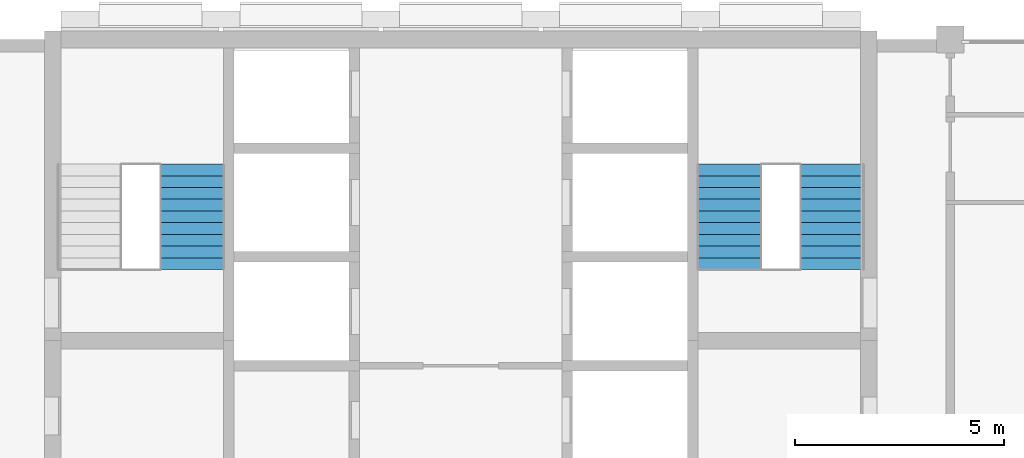
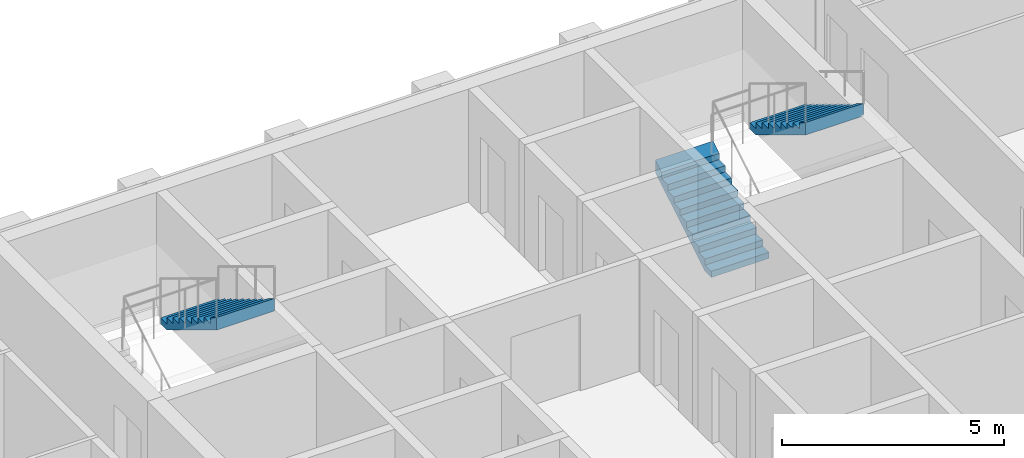
# One storey, part 14 of 17: 3 stair flights, 2 elements without a shape of their own.
"""IFC4 building model written with IfcOpenShell, lengths in metres."""

from ifc_helpers import new_model, si_unit, direction, frame, origin, place, context, subcontext, project, spatial, triangles, material, type_object, element, aggregate, save


model = new_model("IFC4")

# Units and contexts
model_context = context("Model", 3, precision=1e-05, world=origin(), true_north=direction((0.0, 1.0)))
body_context = subcontext(model_context, "Body", "Model", "MODEL_VIEW")
ifc_project = project(units=[si_unit("LENGTHUNIT", "METRE"), si_unit("AREAUNIT", "SQUARE_METRE"), si_unit("VOLUMEUNIT", "CUBIC_METRE"), si_unit("PLANEANGLEUNIT", "RADIAN"), si_unit("MASSUNIT", "GRAM", prefix="KILO")], contexts=[model_context])

# Site, building, storey
site_placement = place(None, origin())
site = spatial("IfcSite", under=ifc_project, at=site_placement, CompositionType="ELEMENT")
building_placement = place(site_placement, origin())
building = spatial("IfcBuilding", under=site, at=building_placement, Name="Ludao Terraces", CompositionType="ELEMENT")
storey_placement = place(building_placement, frame((0.0, 0.0, 263.0)))
storey = spatial("IfcBuildingStorey", under=building, at=storey_placement, Name="L72", CompositionType="ELEMENT", Elevation=263.0)

# Stair, stair flight
ifc_material = material(Name="Concrete C40", Category="concrete")
stair_type = type_object("IfcStairType", Name="INT Stair", PredefinedType="HALF_TURN_STAIR", material=ifc_material)
stair_1_placement = place(storey_placement, origin())
stair_1 = element("IfcStair", 1, at=stair_1_placement, inside=storey, type_object=stair_type, Name="EXIT STAIR 1", PredefinedType="HALF_TURN_STAIR")
stair_flight_type = type_object("IfcStairFlightType", Name="INT Stair flight", PredefinedType="STRAIGHT", material=ifc_material)
stair_flight_1_placement = place(storey_placement, frame((78.574951171875, 81.52001953125, 1.699951171875), z_axis=(0.0, 0.0, 1.0), x_axis=(0.0, -1.0, 0.0)))
stair_flight_1 = element("IfcStairFlight", 2, at=stair_flight_1_placement, type_object=stair_flight_type, Name="ST1 flight 2", NumberOfRisers=10, NumberOfTreads=9, PredefinedType="STRAIGHT", RiserHeight=0.17, TreadLength=0.28, context=body_context, shape_type="Tessellation", body=[
    triangles([(0.0, -0.75, 0.0), (0.0, -0.5, 0.0), (0.0, -0.25, 0.0), (0.0, 0.0, 0.0), (0.0, 0.25, 0.0), (0.0, 0.5, 0.0), (0.0, 0.75, 0.0), (0.0, -0.75, 0.169921875), (0.0, -0.5, 0.169921875), (0.0, -0.25, 0.169921875), (0.0, 0.0, 0.169921875), (0.0, 0.25, 0.169921875), (0.0, 0.5, 0.169921875), (0.0, 0.75, 0.169921875), (0.280029296875, -0.75, 0.169921875), (0.280029296875, -0.5, 0.169921875), (0.280029296875, -0.25, 0.169921875), (0.280029296875, 0.0, 0.169921875), (0.280029296875, 0.25, 0.169921875), (0.280029296875, 0.5, 0.169921875), (0.280029296875, 0.75, 0.169921875), (0.280029296875, -0.75, 0.340087890625), (0.280029296875, -0.5, 0.340087890625), (0.280029296875, -0.25, 0.340087890625), (0.280029296875, 0.0, 0.340087890625), (0.280029296875, 0.25, 0.340087890625), (0.280029296875, 0.5, 0.340087890625), (0.280029296875, 0.75, 0.340087890625), (0.56005859375, -0.75, 0.340087890625), (0.56005859375, -0.5, 0.340087890625), (0.56005859375, -0.25, 0.340087890625), (0.56005859375, 0.0, 0.340087890625), (0.56005859375, 0.25, 0.340087890625), (0.56005859375, 0.5, 0.340087890625), (0.56005859375, 0.75, 0.340087890625), (0.56005859375, -0.75, 0.510009765625), (0.56005859375, -0.5, 0.510009765625), (0.56005859375, -0.25, 0.510009765625), (0.56005859375, 0.0, 0.510009765625), (0.56005859375, 0.25, 0.510009765625), (0.56005859375, 0.5, 0.510009765625), (0.56005859375, 0.75, 0.510009765625), (0.840087890625, -0.75, 0.510009765625), (0.840087890625, -0.5, 0.510009765625), (0.840087890625, -0.25, 0.510009765625), (0.840087890625, 0.0, 0.510009765625), (0.840087890625, 0.25, 0.510009765625), (0.840087890625, 0.5, 0.510009765625), (0.840087890625, 0.75, 0.510009765625), (0.840087890625, -0.75, 0.679931640625), (0.840087890625, -0.5, 0.679931640625), (0.840087890625, -0.25, 0.679931640625), (0.840087890625, 0.0, 0.679931640625), (0.840087890625, 0.25, 0.679931640625), (0.840087890625, 0.5, 0.679931640625), (0.840087890625, 0.75, 0.679931640625), (1.1201171875, -0.75, 0.679931640625), (1.1201171875, -0.5, 0.679931640625), (1.1201171875, -0.25, 0.679931640625), (1.1201171875, 0.0, 0.679931640625), (1.1201171875, 0.25, 0.679931640625), (1.1201171875, 0.5, 0.679931640625), (1.1201171875, 0.75, 0.679931640625), (1.1201171875, -0.75, 0.85009765625), (1.1201171875, -0.5, 0.85009765625), (1.1201171875, -0.25, 0.85009765625), (1.1201171875, 0.0, 0.85009765625), (1.1201171875, 0.25, 0.85009765625), (1.1201171875, 0.5, 0.85009765625), (1.1201171875, 0.75, 0.85009765625), (1.39990234375, -0.75, 0.85009765625), (1.39990234375, -0.5, 0.85009765625), (1.39990234375, -0.25, 0.85009765625), (1.39990234375, 0.0, 0.85009765625), (1.39990234375, 0.25, 0.85009765625), (1.39990234375, 0.5, 0.85009765625), (1.39990234375, 0.75, 0.85009765625), (1.39990234375, -0.75, 1.02001953125), (1.39990234375, -0.5, 1.02001953125), (1.39990234375, -0.25, 1.02001953125), (1.39990234375, 0.0, 1.02001953125), (1.39990234375, 0.25, 1.02001953125), (1.39990234375, 0.5, 1.02001953125), (1.39990234375, 0.75, 1.02001953125), (1.679931640625, -0.75, 1.02001953125), (1.679931640625, -0.5, 1.02001953125), (1.679931640625, -0.25, 1.02001953125), (1.679931640625, 0.0, 1.02001953125), (1.679931640625, 0.25, 1.02001953125), (1.679931640625, 0.5, 1.02001953125), (1.679931640625, 0.75, 1.02001953125), (1.679931640625, -0.75, 1.18994140625), (1.679931640625, -0.5, 1.18994140625), (1.679931640625, -0.25, 1.18994140625), (1.679931640625, 0.0, 1.18994140625), (1.679931640625, 0.25, 1.18994140625), (1.679931640625, 0.5, 1.18994140625), (1.679931640625, 0.75, 1.18994140625), (1.9599609375, -0.75, 1.18994140625), (1.9599609375, -0.5, 1.18994140625), (1.9599609375, -0.25, 1.18994140625), (1.9599609375, 0.0, 1.18994140625), (1.9599609375, 0.25, 1.18994140625), (1.9599609375, 0.5, 1.18994140625), (1.9599609375, 0.75, 1.18994140625), (1.9599609375, -0.75, 1.360107421875), (1.9599609375, -0.5, 1.360107421875), (1.9599609375, -0.25, 1.360107421875), (1.9599609375, 0.0, 1.360107421875), (1.9599609375, 0.25, 1.360107421875), (1.9599609375, 0.5, 1.360107421875), (1.9599609375, 0.75, 1.360107421875), (2.239990234375, -0.75, 1.360107421875), (2.239990234375, -0.5, 1.360107421875), (2.239990234375, -0.25, 1.360107421875), (2.239990234375, 0.0, 1.360107421875), (2.239990234375, 0.25, 1.360107421875), (2.239990234375, 0.5, 1.360107421875), (2.239990234375, 0.75, 1.360107421875), (2.239990234375, -0.75, 1.530029296875), (2.239990234375, -0.5, 1.530029296875), (2.239990234375, -0.25, 1.530029296875), (2.239990234375, 0.0, 1.530029296875), (2.239990234375, 0.25, 1.530029296875), (2.239990234375, 0.5, 1.530029296875), (2.239990234375, 0.75, 1.530029296875), (2.52001953125, -0.75, 1.699951171875), (2.52001953125, -0.5, 1.699951171875), (2.52001953125, -0.25, 1.699951171875), (2.52001953125, 0.0, 1.699951171875), (2.52001953125, 0.25, 1.699951171875), (2.52001953125, 0.5, 1.699951171875), (2.52001953125, 0.75, 1.699951171875), (2.52001953125, -0.75, 1.354736328125), (2.52001953125, -0.5, 1.354736328125), (2.52001953125, -0.25, 1.354736328125), (2.52001953125, 0.0, 1.354736328125), (2.52001953125, 0.25, 1.354736328125), (2.52001953125, 0.5, 1.354736328125), (2.52001953125, 0.75, 1.354736328125), (0.288818359375, -0.75, 0.0), (0.288818359375, -0.5, 0.0), (0.288818359375, -0.25, 0.0), (0.288818359375, 0.0, 0.0), (0.288818359375, 0.25, 0.0), (0.288818359375, 0.5, 0.0), (0.288818359375, 0.75, 0.0)], [[1, 141, 134], [7, 140, 147], [134, 127, 120], [140, 126, 133], [134, 120, 113], [140, 119, 126], [134, 113, 106], [140, 112, 119], [134, 106, 99], [140, 105, 112], [99, 92, 85], [105, 91, 98], [134, 99, 85], [140, 91, 105], [85, 78, 71], [91, 77, 84], [134, 85, 71], [140, 77, 91], [71, 64, 57], [77, 63, 70], [134, 71, 57], [140, 63, 77], [57, 50, 43], [63, 49, 56], [134, 57, 43], [140, 49, 63], [43, 36, 29], [49, 35, 42], [134, 43, 29], [140, 35, 49], [29, 22, 15], [35, 21, 28], [134, 29, 15], [140, 21, 35], [1, 134, 15], [7, 21, 140], [15, 8, 1], [21, 7, 14], [1, 9, 2], [1, 8, 9], [2, 10, 3], [2, 9, 10], [3, 11, 4], [3, 10, 11], [4, 12, 5], [4, 11, 12], [5, 13, 6], [5, 12, 13], [6, 14, 7], [6, 13, 14], [8, 16, 9], [8, 15, 16], [9, 17, 10], [9, 16, 17], [10, 18, 11], [10, 17, 18], [11, 19, 12], [11, 18, 19], [12, 20, 13], [12, 19, 20], [13, 21, 14], [13, 20, 21], [15, 23, 16], [15, 22, 23], [16, 24, 17], [16, 23, 24], [17, 25, 18], [17, 24, 25], [18, 26, 19], [18, 25, 26], [19, 27, 20], [19, 26, 27], [20, 28, 21], [20, 27, 28], [22, 30, 23], [22, 29, 30], [23, 31, 24], [23, 30, 31], [24, 32, 25], [24, 31, 32], [25, 33, 26], [25, 32, 33], [26, 34, 27], [26, 33, 34], [27, 35, 28], [27, 34, 35], [29, 37, 30], [29, 36, 37], [30, 38, 31], [30, 37, 38], [31, 39, 32], [31, 38, 39], [32, 40, 33], [32, 39, 40], [33, 41, 34], [33, 40, 41], [34, 42, 35], [34, 41, 42], [36, 44, 37], [36, 43, 44], [37, 45, 38], [37, 44, 45], [38, 46, 39], [38, 45, 46], [39, 47, 40], [39, 46, 47], [40, 48, 41], [40, 47, 48], [41, 49, 42], [41, 48, 49], [43, 51, 44], [43, 50, 51], [44, 52, 45], [44, 51, 52], [45, 53, 46], [45, 52, 53], [46, 54, 47], [46, 53, 54], [47, 55, 48], [47, 54, 55], [48, 56, 49], [48, 55, 56], [50, 58, 51], [50, 57, 58], [51, 59, 52], [51, 58, 59], [52, 60, 53], [52, 59, 60], [53, 61, 54], [53, 60, 61], [54, 62, 55], [54, 61, 62], [55, 63, 56], [55, 62, 63], [57, 65, 58], [57, 64, 65], [58, 66, 59], [58, 65, 66], [59, 67, 60], [59, 66, 67], [60, 68, 61], [60, 67, 68], [61, 69, 62], [61, 68, 69], [62, 70, 63], [62, 69, 70], [64, 72, 65], [64, 71, 72], [65, 73, 66], [65, 72, 73], [66, 74, 67], [66, 73, 74], [67, 75, 68], [67, 74, 75], [68, 76, 69], [68, 75, 76], [69, 77, 70], [69, 76, 77], [71, 79, 72], [71, 78, 79], [72, 80, 73], [72, 79, 80], [73, 81, 74], [73, 80, 81], [74, 82, 75], [74, 81, 82], [75, 83, 76], [75, 82, 83], [76, 84, 77], [76, 83, 84], [78, 86, 79], [78, 85, 86], [79, 87, 80], [79, 86, 87], [80, 88, 81], [80, 87, 88], [81, 89, 82], [81, 88, 89], [82, 90, 83], [82, 89, 90], [83, 91, 84], [83, 90, 91], [85, 93, 86], [85, 92, 93], [86, 94, 87], [86, 93, 94], [87, 95, 88], [87, 94, 95], [88, 96, 89], [88, 95, 96], [89, 97, 90], [89, 96, 97], [90, 98, 91], [90, 97, 98], [92, 100, 93], [92, 99, 100], [93, 101, 94], [93, 100, 101], [94, 102, 95], [94, 101, 102], [95, 103, 96], [95, 102, 103], [96, 104, 97], [96, 103, 104], [97, 105, 98], [97, 104, 105], [99, 107, 100], [99, 106, 107], [100, 108, 101], [100, 107, 108], [101, 109, 102], [101, 108, 109], [102, 110, 103], [102, 109, 110], [103, 111, 104], [103, 110, 111], [104, 112, 105], [104, 111, 112], [106, 114, 107], [106, 113, 114], [107, 115, 108], [107, 114, 115], [108, 116, 109], [108, 115, 116], [109, 117, 110], [109, 116, 117], [110, 118, 111], [110, 117, 118], [111, 119, 112], [111, 118, 119], [113, 121, 114], [113, 120, 121], [114, 122, 115], [114, 121, 122], [115, 123, 116], [115, 122, 123], [116, 124, 117], [116, 123, 124], [117, 125, 118], [117, 124, 125], [118, 126, 119], [118, 125, 126], [120, 128, 121], [120, 127, 128], [121, 129, 122], [121, 128, 129], [122, 130, 123], [122, 129, 130], [123, 131, 124], [123, 130, 131], [124, 132, 125], [124, 131, 132], [125, 133, 126], [125, 132, 133], [127, 135, 128], [127, 134, 135], [128, 136, 129], [128, 135, 136], [129, 137, 130], [129, 136, 137], [130, 138, 131], [130, 137, 138], [131, 139, 132], [131, 138, 139], [132, 140, 133], [132, 139, 140], [134, 142, 135], [134, 141, 142], [135, 143, 136], [135, 142, 143], [136, 144, 137], [136, 143, 144], [137, 145, 138], [137, 144, 145], [138, 146, 139], [138, 145, 146], [139, 147, 140], [139, 146, 147], [141, 2, 142], [141, 1, 2], [142, 3, 143], [142, 2, 3], [143, 4, 144], [143, 3, 4], [144, 5, 145], [144, 4, 5], [145, 6, 146], [145, 5, 6], [146, 7, 147], [146, 6, 7]], closed=True),
])
aggregate(stair_1, [stair_flight_1])

# Stair, stair flights
stair_2_placement = place(storey_placement, origin())
stair_2 = element("IfcStair", 3, at=stair_2_placement, inside=storey, type_object=stair_type, Name="EXIT STAIR 2", PredefinedType="HALF_TURN_STAIR")
stair_flight_2_placement = place(storey_placement, frame((91.425048828125, 79.0, 0.0), z_axis=(0.0, 0.0, 1.0), x_axis=(0.0, 1.0, 0.0)))
stair_flight_2 = element("IfcStairFlight", 4, at=stair_flight_2_placement, type_object=stair_flight_type, Name="ST2 flight 1", NumberOfRisers=10, NumberOfTreads=9, PredefinedType="STRAIGHT", RiserHeight=0.17, TreadLength=0.28, context=body_context, shape_type="Tessellation", body=[
    triangles([(0.0, -0.75, 0.0), (0.0, -0.5, 0.0), (0.0, -0.25, 0.0), (0.0, 0.0, 0.0), (0.0, 0.25, 0.0), (0.0, 0.5, 0.0), (0.0, 0.75, 0.0), (0.0, -0.75, 0.169921875), (0.0, -0.5, 0.169921875), (0.0, -0.25, 0.169921875), (0.0, 0.0, 0.169921875), (0.0, 0.25, 0.169921875), (0.0, 0.5, 0.169921875), (0.0, 0.75, 0.169921875), (0.280029296875, -0.75, 0.169921875), (0.280029296875, -0.5, 0.169921875), (0.280029296875, -0.25, 0.169921875), (0.280029296875, 0.0, 0.169921875), (0.280029296875, 0.25, 0.169921875), (0.280029296875, 0.5, 0.169921875), (0.280029296875, 0.75, 0.169921875), (0.280029296875, -0.75, 0.340087890625), (0.280029296875, -0.5, 0.340087890625), (0.280029296875, -0.25, 0.340087890625), (0.280029296875, 0.0, 0.340087890625), (0.280029296875, 0.25, 0.340087890625), (0.280029296875, 0.5, 0.340087890625), (0.280029296875, 0.75, 0.340087890625), (0.56005859375, -0.75, 0.340087890625), (0.56005859375, -0.5, 0.340087890625), (0.56005859375, -0.25, 0.340087890625), (0.56005859375, 0.0, 0.340087890625), (0.56005859375, 0.25, 0.340087890625), (0.56005859375, 0.5, 0.340087890625), (0.56005859375, 0.75, 0.340087890625), (0.56005859375, -0.75, 0.510009765625), (0.56005859375, -0.5, 0.510009765625), (0.56005859375, -0.25, 0.510009765625), (0.56005859375, 0.0, 0.510009765625), (0.56005859375, 0.25, 0.510009765625), (0.56005859375, 0.5, 0.510009765625), (0.56005859375, 0.75, 0.510009765625), (0.840087890625, -0.75, 0.510009765625), (0.840087890625, -0.5, 0.510009765625), (0.840087890625, -0.25, 0.510009765625), (0.840087890625, 0.0, 0.510009765625), (0.840087890625, 0.25, 0.510009765625), (0.840087890625, 0.5, 0.510009765625), (0.840087890625, 0.75, 0.510009765625), (0.840087890625, -0.75, 0.679931640625), (0.840087890625, -0.5, 0.679931640625), (0.840087890625, -0.25, 0.679931640625), (0.840087890625, 0.0, 0.679931640625), (0.840087890625, 0.25, 0.679931640625), (0.840087890625, 0.5, 0.679931640625), (0.840087890625, 0.75, 0.679931640625), (1.1201171875, -0.75, 0.679931640625), (1.1201171875, -0.5, 0.679931640625), (1.1201171875, -0.25, 0.679931640625), (1.1201171875, 0.0, 0.679931640625), (1.1201171875, 0.25, 0.679931640625), (1.1201171875, 0.5, 0.679931640625), (1.1201171875, 0.75, 0.679931640625), (1.1201171875, -0.75, 0.85009765625), (1.1201171875, -0.5, 0.85009765625), (1.1201171875, -0.25, 0.85009765625), (1.1201171875, 0.0, 0.85009765625), (1.1201171875, 0.25, 0.85009765625), (1.1201171875, 0.5, 0.85009765625), (1.1201171875, 0.75, 0.85009765625), (1.39990234375, -0.75, 0.85009765625), (1.39990234375, -0.5, 0.85009765625), (1.39990234375, -0.25, 0.85009765625), (1.39990234375, 0.0, 0.85009765625), (1.39990234375, 0.25, 0.85009765625), (1.39990234375, 0.5, 0.85009765625), (1.39990234375, 0.75, 0.85009765625), (1.39990234375, -0.75, 1.02001953125), (1.39990234375, -0.5, 1.02001953125), (1.39990234375, -0.25, 1.02001953125), (1.39990234375, 0.0, 1.02001953125), (1.39990234375, 0.25, 1.02001953125), (1.39990234375, 0.5, 1.02001953125), (1.39990234375, 0.75, 1.02001953125), (1.679931640625, -0.75, 1.02001953125), (1.679931640625, -0.5, 1.02001953125), (1.679931640625, -0.25, 1.02001953125), (1.679931640625, 0.0, 1.02001953125), (1.679931640625, 0.25, 1.02001953125), (1.679931640625, 0.5, 1.02001953125), (1.679931640625, 0.75, 1.02001953125), (1.679931640625, -0.75, 1.18994140625), (1.679931640625, -0.5, 1.18994140625), (1.679931640625, -0.25, 1.18994140625), (1.679931640625, 0.0, 1.18994140625), (1.679931640625, 0.25, 1.18994140625), (1.679931640625, 0.5, 1.18994140625), (1.679931640625, 0.75, 1.18994140625), (1.9599609375, -0.75, 1.18994140625), (1.9599609375, -0.5, 1.18994140625), (1.9599609375, -0.25, 1.18994140625), (1.9599609375, 0.0, 1.18994140625), (1.9599609375, 0.25, 1.18994140625), (1.9599609375, 0.5, 1.18994140625), (1.9599609375, 0.75, 1.18994140625), (1.9599609375, -0.75, 1.360107421875), (1.9599609375, -0.5, 1.360107421875), (1.9599609375, -0.25, 1.360107421875), (1.9599609375, 0.0, 1.360107421875), (1.9599609375, 0.25, 1.360107421875), (1.9599609375, 0.5, 1.360107421875), (1.9599609375, 0.75, 1.360107421875), (2.239990234375, -0.75, 1.360107421875), (2.239990234375, -0.5, 1.360107421875), (2.239990234375, -0.25, 1.360107421875), (2.239990234375, 0.0, 1.360107421875), (2.239990234375, 0.25, 1.360107421875), (2.239990234375, 0.5, 1.360107421875), (2.239990234375, 0.75, 1.360107421875), (2.239990234375, -0.75, 1.530029296875), (2.239990234375, -0.5, 1.530029296875), (2.239990234375, -0.25, 1.530029296875), (2.239990234375, 0.0, 1.530029296875), (2.239990234375, 0.25, 1.530029296875), (2.239990234375, 0.5, 1.530029296875), (2.239990234375, 0.75, 1.530029296875), (2.52001953125, -0.75, 1.699951171875), (2.52001953125, -0.5, 1.699951171875), (2.52001953125, -0.25, 1.699951171875), (2.52001953125, 0.0, 1.699951171875), (2.52001953125, 0.25, 1.699951171875), (2.52001953125, 0.5, 1.699951171875), (2.52001953125, 0.75, 1.699951171875), (2.52001953125, -0.75, 1.354736328125), (2.52001953125, -0.5, 1.354736328125), (2.52001953125, -0.25, 1.354736328125), (2.52001953125, 0.0, 1.354736328125), (2.52001953125, 0.25, 1.354736328125), (2.52001953125, 0.5, 1.354736328125), (2.52001953125, 0.75, 1.354736328125), (0.288818359375, -0.75, 0.0), (0.288818359375, -0.5, 0.0), (0.288818359375, -0.25, 0.0), (0.288818359375, 0.0, 0.0), (0.288818359375, 0.25, 0.0), (0.288818359375, 0.5, 0.0), (0.288818359375, 0.75, 0.0)], [[1, 141, 134], [7, 140, 147], [134, 127, 120], [140, 126, 133], [134, 120, 113], [140, 119, 126], [134, 113, 106], [140, 112, 119], [134, 106, 99], [140, 105, 112], [99, 92, 85], [105, 91, 98], [134, 99, 85], [140, 91, 105], [85, 78, 71], [91, 77, 84], [134, 85, 71], [140, 77, 91], [71, 64, 57], [77, 63, 70], [134, 71, 57], [140, 63, 77], [57, 50, 43], [63, 49, 56], [134, 57, 43], [140, 49, 63], [43, 36, 29], [49, 35, 42], [134, 43, 29], [140, 35, 49], [29, 22, 15], [35, 21, 28], [134, 29, 15], [140, 21, 35], [1, 134, 15], [7, 21, 140], [15, 8, 1], [21, 7, 14], [1, 9, 2], [1, 8, 9], [2, 10, 3], [2, 9, 10], [3, 11, 4], [3, 10, 11], [4, 12, 5], [4, 11, 12], [5, 13, 6], [5, 12, 13], [6, 14, 7], [6, 13, 14], [8, 16, 9], [8, 15, 16], [9, 17, 10], [9, 16, 17], [10, 18, 11], [10, 17, 18], [11, 19, 12], [11, 18, 19], [12, 20, 13], [12, 19, 20], [13, 21, 14], [13, 20, 21], [15, 23, 16], [15, 22, 23], [16, 24, 17], [16, 23, 24], [17, 25, 18], [17, 24, 25], [18, 26, 19], [18, 25, 26], [19, 27, 20], [19, 26, 27], [20, 28, 21], [20, 27, 28], [22, 30, 23], [22, 29, 30], [23, 31, 24], [23, 30, 31], [24, 32, 25], [24, 31, 32], [25, 33, 26], [25, 32, 33], [26, 34, 27], [26, 33, 34], [27, 35, 28], [27, 34, 35], [29, 37, 30], [29, 36, 37], [30, 38, 31], [30, 37, 38], [31, 39, 32], [31, 38, 39], [32, 40, 33], [32, 39, 40], [33, 41, 34], [33, 40, 41], [34, 42, 35], [34, 41, 42], [36, 44, 37], [36, 43, 44], [37, 45, 38], [37, 44, 45], [38, 46, 39], [38, 45, 46], [39, 47, 40], [39, 46, 47], [40, 48, 41], [40, 47, 48], [41, 49, 42], [41, 48, 49], [43, 51, 44], [43, 50, 51], [44, 52, 45], [44, 51, 52], [45, 53, 46], [45, 52, 53], [46, 54, 47], [46, 53, 54], [47, 55, 48], [47, 54, 55], [48, 56, 49], [48, 55, 56], [50, 58, 51], [50, 57, 58], [51, 59, 52], [51, 58, 59], [52, 60, 53], [52, 59, 60], [53, 61, 54], [53, 60, 61], [54, 62, 55], [54, 61, 62], [55, 63, 56], [55, 62, 63], [57, 65, 58], [57, 64, 65], [58, 66, 59], [58, 65, 66], [59, 67, 60], [59, 66, 67], [60, 68, 61], [60, 67, 68], [61, 69, 62], [61, 68, 69], [62, 70, 63], [62, 69, 70], [64, 72, 65], [64, 71, 72], [65, 73, 66], [65, 72, 73], [66, 74, 67], [66, 73, 74], [67, 75, 68], [67, 74, 75], [68, 76, 69], [68, 75, 76], [69, 77, 70], [69, 76, 77], [71, 79, 72], [71, 78, 79], [72, 80, 73], [72, 79, 80], [73, 81, 74], [73, 80, 81], [74, 82, 75], [74, 81, 82], [75, 83, 76], [75, 82, 83], [76, 84, 77], [76, 83, 84], [78, 86, 79], [78, 85, 86], [79, 87, 80], [79, 86, 87], [80, 88, 81], [80, 87, 88], [81, 89, 82], [81, 88, 89], [82, 90, 83], [82, 89, 90], [83, 91, 84], [83, 90, 91], [85, 93, 86], [85, 92, 93], [86, 94, 87], [86, 93, 94], [87, 95, 88], [87, 94, 95], [88, 96, 89], [88, 95, 96], [89, 97, 90], [89, 96, 97], [90, 98, 91], [90, 97, 98], [92, 100, 93], [92, 99, 100], [93, 101, 94], [93, 100, 101], [94, 102, 95], [94, 101, 102], [95, 103, 96], [95, 102, 103], [96, 104, 97], [96, 103, 104], [97, 105, 98], [97, 104, 105], [99, 107, 100], [99, 106, 107], [100, 108, 101], [100, 107, 108], [101, 109, 102], [101, 108, 109], [102, 110, 103], [102, 109, 110], [103, 111, 104], [103, 110, 111], [104, 112, 105], [104, 111, 112], [106, 114, 107], [106, 113, 114], [107, 115, 108], [107, 114, 115], [108, 116, 109], [108, 115, 116], [109, 117, 110], [109, 116, 117], [110, 118, 111], [110, 117, 118], [111, 119, 112], [111, 118, 119], [113, 121, 114], [113, 120, 121], [114, 122, 115], [114, 121, 122], [115, 123, 116], [115, 122, 123], [116, 124, 117], [116, 123, 124], [117, 125, 118], [117, 124, 125], [118, 126, 119], [118, 125, 126], [120, 128, 121], [120, 127, 128], [121, 129, 122], [121, 128, 129], [122, 130, 123], [122, 129, 130], [123, 131, 124], [123, 130, 131], [124, 132, 125], [124, 131, 132], [125, 133, 126], [125, 132, 133], [127, 135, 128], [127, 134, 135], [128, 136, 129], [128, 135, 136], [129, 137, 130], [129, 136, 137], [130, 138, 131], [130, 137, 138], [131, 139, 132], [131, 138, 139], [132, 140, 133], [132, 139, 140], [134, 142, 135], [134, 141, 142], [135, 143, 136], [135, 142, 143], [136, 144, 137], [136, 143, 144], [137, 145, 138], [137, 144, 145], [138, 146, 139], [138, 145, 146], [139, 147, 140], [139, 146, 147], [141, 2, 142], [141, 1, 2], [142, 3, 143], [142, 2, 3], [143, 4, 144], [143, 3, 4], [144, 5, 145], [144, 4, 5], [145, 6, 146], [145, 5, 6], [146, 7, 147], [146, 6, 7]], closed=True),
])
stair_flight_3_placement = place(storey_placement, frame((93.875, 81.52001953125, 1.699951171875), z_axis=(0.0, 0.0, 1.0), x_axis=(0.0, -1.0, 0.0)))
stair_flight_3 = element("IfcStairFlight", 5, at=stair_flight_3_placement, type_object=stair_flight_type, Name="ST2 flight 2", NumberOfRisers=10, NumberOfTreads=9, PredefinedType="STRAIGHT", RiserHeight=0.17, TreadLength=0.28, context=body_context, shape_type="Tessellation", body=[
    triangles([(0.0, -0.75, 0.0), (0.0, -0.5, 0.0), (0.0, -0.25, 0.0), (0.0, 0.0, 0.0), (0.0, 0.25, 0.0), (0.0, 0.5, 0.0), (0.0, 0.75, 0.0), (0.0, -0.75, 0.169921875), (0.0, -0.5, 0.169921875), (0.0, -0.25, 0.169921875), (0.0, 0.0, 0.169921875), (0.0, 0.25, 0.169921875), (0.0, 0.5, 0.169921875), (0.0, 0.75, 0.169921875), (0.280029296875, -0.75, 0.169921875), (0.280029296875, -0.5, 0.169921875), (0.280029296875, -0.25, 0.169921875), (0.280029296875, 0.0, 0.169921875), (0.280029296875, 0.25, 0.169921875), (0.280029296875, 0.5, 0.169921875), (0.280029296875, 0.75, 0.169921875), (0.280029296875, -0.75, 0.340087890625), (0.280029296875, -0.5, 0.340087890625), (0.280029296875, -0.25, 0.340087890625), (0.280029296875, 0.0, 0.340087890625), (0.280029296875, 0.25, 0.340087890625), (0.280029296875, 0.5, 0.340087890625), (0.280029296875, 0.75, 0.340087890625), (0.56005859375, -0.75, 0.340087890625), (0.56005859375, -0.5, 0.340087890625), (0.56005859375, -0.25, 0.340087890625), (0.56005859375, 0.0, 0.340087890625), (0.56005859375, 0.25, 0.340087890625), (0.56005859375, 0.5, 0.340087890625), (0.56005859375, 0.75, 0.340087890625), (0.56005859375, -0.75, 0.510009765625), (0.56005859375, -0.5, 0.510009765625), (0.56005859375, -0.25, 0.510009765625), (0.56005859375, 0.0, 0.510009765625), (0.56005859375, 0.25, 0.510009765625), (0.56005859375, 0.5, 0.510009765625), (0.56005859375, 0.75, 0.510009765625), (0.840087890625, -0.75, 0.510009765625), (0.840087890625, -0.5, 0.510009765625), (0.840087890625, -0.25, 0.510009765625), (0.840087890625, 0.0, 0.510009765625), (0.840087890625, 0.25, 0.510009765625), (0.840087890625, 0.5, 0.510009765625), (0.840087890625, 0.75, 0.510009765625), (0.840087890625, -0.75, 0.679931640625), (0.840087890625, -0.5, 0.679931640625), (0.840087890625, -0.25, 0.679931640625), (0.840087890625, 0.0, 0.679931640625), (0.840087890625, 0.25, 0.679931640625), (0.840087890625, 0.5, 0.679931640625), (0.840087890625, 0.75, 0.679931640625), (1.1201171875, -0.75, 0.679931640625), (1.1201171875, -0.5, 0.679931640625), (1.1201171875, -0.25, 0.679931640625), (1.1201171875, 0.0, 0.679931640625), (1.1201171875, 0.25, 0.679931640625), (1.1201171875, 0.5, 0.679931640625), (1.1201171875, 0.75, 0.679931640625), (1.1201171875, -0.75, 0.85009765625), (1.1201171875, -0.5, 0.85009765625), (1.1201171875, -0.25, 0.85009765625), (1.1201171875, 0.0, 0.85009765625), (1.1201171875, 0.25, 0.85009765625), (1.1201171875, 0.5, 0.85009765625), (1.1201171875, 0.75, 0.85009765625), (1.39990234375, -0.75, 0.85009765625), (1.39990234375, -0.5, 0.85009765625), (1.39990234375, -0.25, 0.85009765625), (1.39990234375, 0.0, 0.85009765625), (1.39990234375, 0.25, 0.85009765625), (1.39990234375, 0.5, 0.85009765625), (1.39990234375, 0.75, 0.85009765625), (1.39990234375, -0.75, 1.02001953125), (1.39990234375, -0.5, 1.02001953125), (1.39990234375, -0.25, 1.02001953125), (1.39990234375, 0.0, 1.02001953125), (1.39990234375, 0.25, 1.02001953125), (1.39990234375, 0.5, 1.02001953125), (1.39990234375, 0.75, 1.02001953125), (1.679931640625, -0.75, 1.02001953125), (1.679931640625, -0.5, 1.02001953125), (1.679931640625, -0.25, 1.02001953125), (1.679931640625, 0.0, 1.02001953125), (1.679931640625, 0.25, 1.02001953125), (1.679931640625, 0.5, 1.02001953125), (1.679931640625, 0.75, 1.02001953125), (1.679931640625, -0.75, 1.18994140625), (1.679931640625, -0.5, 1.18994140625), (1.679931640625, -0.25, 1.18994140625), (1.679931640625, 0.0, 1.18994140625), (1.679931640625, 0.25, 1.18994140625), (1.679931640625, 0.5, 1.18994140625), (1.679931640625, 0.75, 1.18994140625), (1.9599609375, -0.75, 1.18994140625), (1.9599609375, -0.5, 1.18994140625), (1.9599609375, -0.25, 1.18994140625), (1.9599609375, 0.0, 1.18994140625), (1.9599609375, 0.25, 1.18994140625), (1.9599609375, 0.5, 1.18994140625), (1.9599609375, 0.75, 1.18994140625), (1.9599609375, -0.75, 1.360107421875), (1.9599609375, -0.5, 1.360107421875), (1.9599609375, -0.25, 1.360107421875), (1.9599609375, 0.0, 1.360107421875), (1.9599609375, 0.25, 1.360107421875), (1.9599609375, 0.5, 1.360107421875), (1.9599609375, 0.75, 1.360107421875), (2.239990234375, -0.75, 1.360107421875), (2.239990234375, -0.5, 1.360107421875), (2.239990234375, -0.25, 1.360107421875), (2.239990234375, 0.0, 1.360107421875), (2.239990234375, 0.25, 1.360107421875), (2.239990234375, 0.5, 1.360107421875), (2.239990234375, 0.75, 1.360107421875), (2.239990234375, -0.75, 1.530029296875), (2.239990234375, -0.5, 1.530029296875), (2.239990234375, -0.25, 1.530029296875), (2.239990234375, 0.0, 1.530029296875), (2.239990234375, 0.25, 1.530029296875), (2.239990234375, 0.5, 1.530029296875), (2.239990234375, 0.75, 1.530029296875), (2.52001953125, -0.75, 1.699951171875), (2.52001953125, -0.5, 1.699951171875), (2.52001953125, -0.25, 1.699951171875), (2.52001953125, 0.0, 1.699951171875), (2.52001953125, 0.25, 1.699951171875), (2.52001953125, 0.5, 1.699951171875), (2.52001953125, 0.75, 1.699951171875), (2.52001953125, -0.75, 1.354736328125), (2.52001953125, -0.5, 1.354736328125), (2.52001953125, -0.25, 1.354736328125), (2.52001953125, 0.0, 1.354736328125), (2.52001953125, 0.25, 1.354736328125), (2.52001953125, 0.5, 1.354736328125), (2.52001953125, 0.75, 1.354736328125), (0.288818359375, -0.75, 0.0), (0.288818359375, -0.5, 0.0), (0.288818359375, -0.25, 0.0), (0.288818359375, 0.0, 0.0), (0.288818359375, 0.25, 0.0), (0.288818359375, 0.5, 0.0), (0.288818359375, 0.75, 0.0)], [[1, 141, 134], [7, 140, 147], [134, 127, 120], [140, 126, 133], [134, 120, 113], [140, 119, 126], [134, 113, 106], [140, 112, 119], [134, 106, 99], [140, 105, 112], [99, 92, 85], [105, 91, 98], [134, 99, 85], [140, 91, 105], [85, 78, 71], [91, 77, 84], [134, 85, 71], [140, 77, 91], [71, 64, 57], [77, 63, 70], [134, 71, 57], [140, 63, 77], [57, 50, 43], [63, 49, 56], [134, 57, 43], [140, 49, 63], [43, 36, 29], [49, 35, 42], [134, 43, 29], [140, 35, 49], [29, 22, 15], [35, 21, 28], [134, 29, 15], [140, 21, 35], [1, 134, 15], [7, 21, 140], [15, 8, 1], [21, 7, 14], [1, 9, 2], [1, 8, 9], [2, 10, 3], [2, 9, 10], [3, 11, 4], [3, 10, 11], [4, 12, 5], [4, 11, 12], [5, 13, 6], [5, 12, 13], [6, 14, 7], [6, 13, 14], [8, 16, 9], [8, 15, 16], [9, 17, 10], [9, 16, 17], [10, 18, 11], [10, 17, 18], [11, 19, 12], [11, 18, 19], [12, 20, 13], [12, 19, 20], [13, 21, 14], [13, 20, 21], [15, 23, 16], [15, 22, 23], [16, 24, 17], [16, 23, 24], [17, 25, 18], [17, 24, 25], [18, 26, 19], [18, 25, 26], [19, 27, 20], [19, 26, 27], [20, 28, 21], [20, 27, 28], [22, 30, 23], [22, 29, 30], [23, 31, 24], [23, 30, 31], [24, 32, 25], [24, 31, 32], [25, 33, 26], [25, 32, 33], [26, 34, 27], [26, 33, 34], [27, 35, 28], [27, 34, 35], [29, 37, 30], [29, 36, 37], [30, 38, 31], [30, 37, 38], [31, 39, 32], [31, 38, 39], [32, 40, 33], [32, 39, 40], [33, 41, 34], [33, 40, 41], [34, 42, 35], [34, 41, 42], [36, 44, 37], [36, 43, 44], [37, 45, 38], [37, 44, 45], [38, 46, 39], [38, 45, 46], [39, 47, 40], [39, 46, 47], [40, 48, 41], [40, 47, 48], [41, 49, 42], [41, 48, 49], [43, 51, 44], [43, 50, 51], [44, 52, 45], [44, 51, 52], [45, 53, 46], [45, 52, 53], [46, 54, 47], [46, 53, 54], [47, 55, 48], [47, 54, 55], [48, 56, 49], [48, 55, 56], [50, 58, 51], [50, 57, 58], [51, 59, 52], [51, 58, 59], [52, 60, 53], [52, 59, 60], [53, 61, 54], [53, 60, 61], [54, 62, 55], [54, 61, 62], [55, 63, 56], [55, 62, 63], [57, 65, 58], [57, 64, 65], [58, 66, 59], [58, 65, 66], [59, 67, 60], [59, 66, 67], [60, 68, 61], [60, 67, 68], [61, 69, 62], [61, 68, 69], [62, 70, 63], [62, 69, 70], [64, 72, 65], [64, 71, 72], [65, 73, 66], [65, 72, 73], [66, 74, 67], [66, 73, 74], [67, 75, 68], [67, 74, 75], [68, 76, 69], [68, 75, 76], [69, 77, 70], [69, 76, 77], [71, 79, 72], [71, 78, 79], [72, 80, 73], [72, 79, 80], [73, 81, 74], [73, 80, 81], [74, 82, 75], [74, 81, 82], [75, 83, 76], [75, 82, 83], [76, 84, 77], [76, 83, 84], [78, 86, 79], [78, 85, 86], [79, 87, 80], [79, 86, 87], [80, 88, 81], [80, 87, 88], [81, 89, 82], [81, 88, 89], [82, 90, 83], [82, 89, 90], [83, 91, 84], [83, 90, 91], [85, 93, 86], [85, 92, 93], [86, 94, 87], [86, 93, 94], [87, 95, 88], [87, 94, 95], [88, 96, 89], [88, 95, 96], [89, 97, 90], [89, 96, 97], [90, 98, 91], [90, 97, 98], [92, 100, 93], [92, 99, 100], [93, 101, 94], [93, 100, 101], [94, 102, 95], [94, 101, 102], [95, 103, 96], [95, 102, 103], [96, 104, 97], [96, 103, 104], [97, 105, 98], [97, 104, 105], [99, 107, 100], [99, 106, 107], [100, 108, 101], [100, 107, 108], [101, 109, 102], [101, 108, 109], [102, 110, 103], [102, 109, 110], [103, 111, 104], [103, 110, 111], [104, 112, 105], [104, 111, 112], [106, 114, 107], [106, 113, 114], [107, 115, 108], [107, 114, 115], [108, 116, 109], [108, 115, 116], [109, 117, 110], [109, 116, 117], [110, 118, 111], [110, 117, 118], [111, 119, 112], [111, 118, 119], [113, 121, 114], [113, 120, 121], [114, 122, 115], [114, 121, 122], [115, 123, 116], [115, 122, 123], [116, 124, 117], [116, 123, 124], [117, 125, 118], [117, 124, 125], [118, 126, 119], [118, 125, 126], [120, 128, 121], [120, 127, 128], [121, 129, 122], [121, 128, 129], [122, 130, 123], [122, 129, 130], [123, 131, 124], [123, 130, 131], [124, 132, 125], [124, 131, 132], [125, 133, 126], [125, 132, 133], [127, 135, 128], [127, 134, 135], [128, 136, 129], [128, 135, 136], [129, 137, 130], [129, 136, 137], [130, 138, 131], [130, 137, 138], [131, 139, 132], [131, 138, 139], [132, 140, 133], [132, 139, 140], [134, 142, 135], [134, 141, 142], [135, 143, 136], [135, 142, 143], [136, 144, 137], [136, 143, 144], [137, 145, 138], [137, 144, 145], [138, 146, 139], [138, 145, 146], [139, 147, 140], [139, 146, 147], [141, 2, 142], [141, 1, 2], [142, 3, 143], [142, 2, 3], [143, 4, 144], [143, 3, 4], [144, 5, 145], [144, 4, 5], [145, 6, 146], [145, 5, 6], [146, 7, 147], [146, 6, 7]], closed=True),
])
aggregate(stair_2, [stair_flight_2, stair_flight_3])

save(model, "model.ifc")
